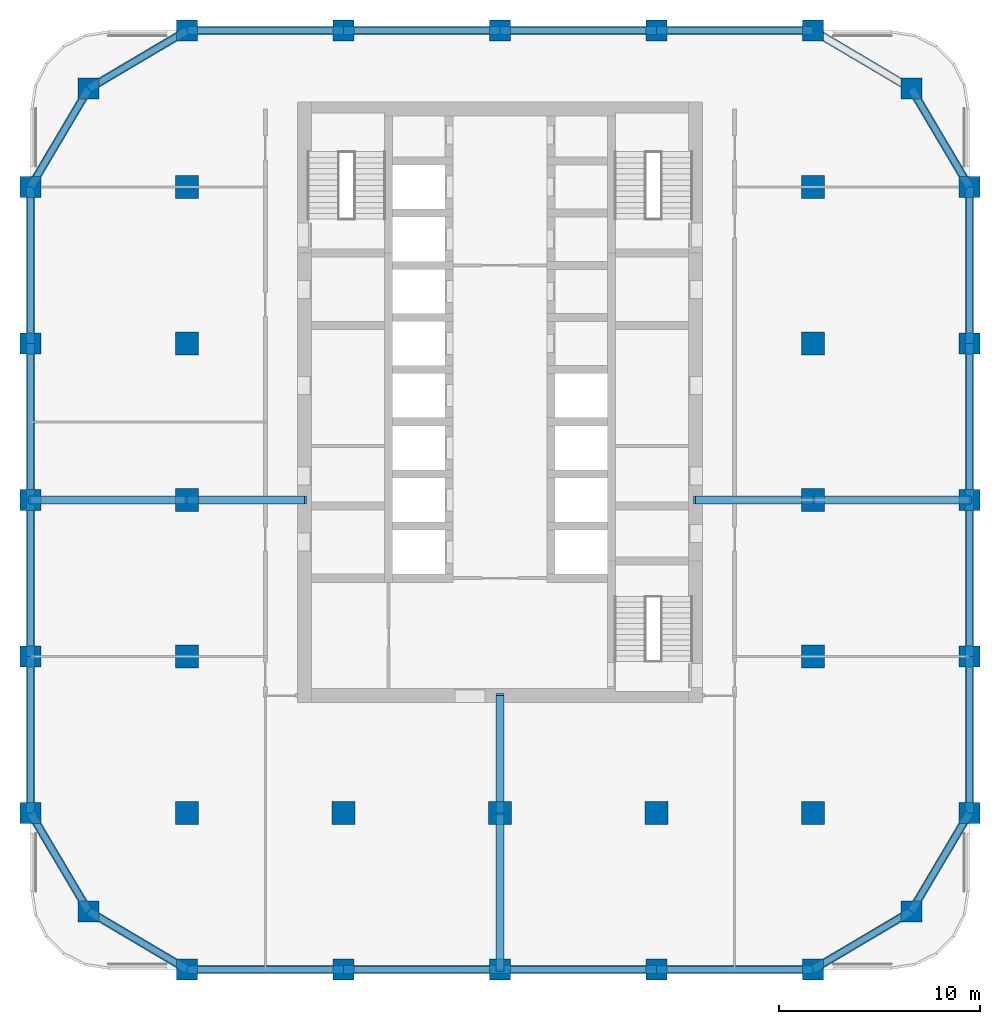
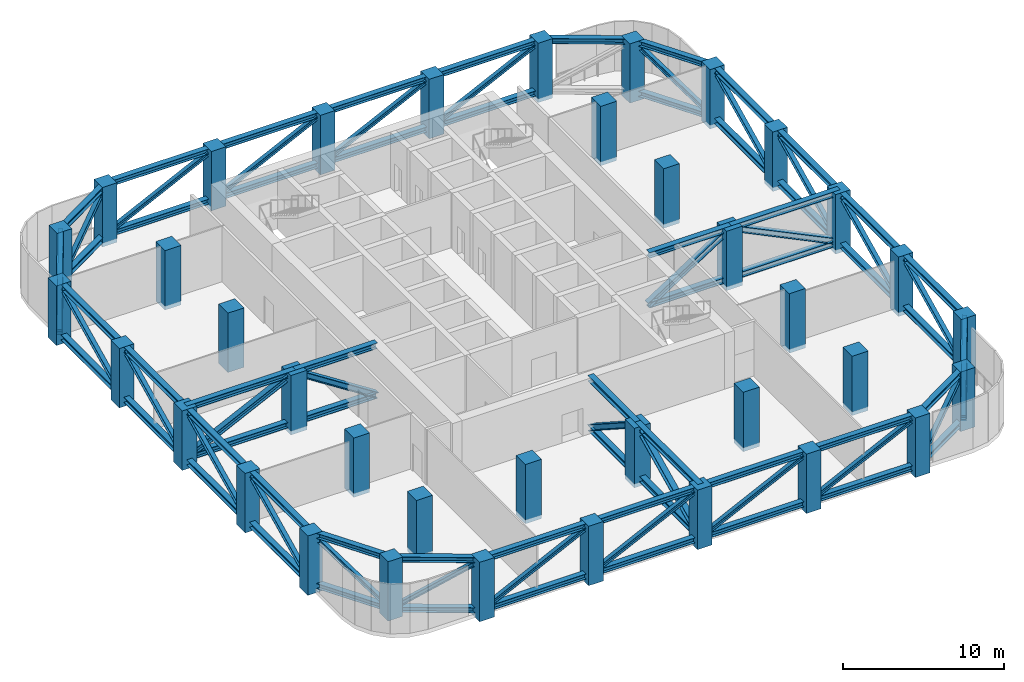
# One storey, part 1 of 8: 88 members, 37 columns.
"""IFC4 building model written with IfcOpenShell, lengths in metres."""

from ifc_helpers import new_model, si_unit, direction, frame, origin, origin_2d, place, context, subcontext, project, spatial, rectangle, i_section, extrude, material, material_profile, profile_set, type_object, element, save


model = new_model("IFC4")

# Units and contexts
model_context = context("Model", 3, precision=1e-05, world=origin(), true_north=direction((0.0, 1.0)))
body_context = subcontext(model_context, "Body", "Model", "MODEL_VIEW")
ifc_project = project(units=[si_unit("LENGTHUNIT", "METRE"), si_unit("AREAUNIT", "SQUARE_METRE"), si_unit("VOLUMEUNIT", "CUBIC_METRE"), si_unit("PLANEANGLEUNIT", "RADIAN"), si_unit("MASSUNIT", "GRAM", prefix="KILO")], contexts=[model_context])

# Site, building, storey
site_placement = place(None, origin())
site = spatial("IfcSite", under=ifc_project, at=site_placement, CompositionType="ELEMENT")
building_placement = place(site_placement, origin())
building = spatial("IfcBuilding", under=site, at=building_placement, Name="Ludao Terraces", CompositionType="ELEMENT")
storey_placement = place(building_placement, frame((0.0, 0.0, 46.699951171875)))
storey = spatial("IfcBuildingStorey", under=building, at=storey_placement, Name="L12", CompositionType="ELEMENT", Elevation=46.699951171875)

# Columns
ifc_material_1 = material(Name="Concrete C60", Category="concrete")
ifc_material_profile_1 = material_profile(ifc_material_1, rectangle(XDim=1.050048828125, YDim=1.050048828125, at=origin_2d()), Name="1050 X 1050")
ifc_profile_set_1 = profile_set([ifc_material_profile_1], Name="Concrete C60")
column_type_1 = type_object("IfcColumnType", Name="RC column 1050x1050 C60", PredefinedType="COLUMN", material=ifc_profile_set_1)
for number, where, z_axis, x_axis, name in (
    (1, (64.5, 44.5, -0.300048828125), (0.0, 0.0, 1.0), (1.0, 0.0, 0.0), "Column L12 C0029x0029"),
    (2, (105.5, 44.5, -0.300048828125), (0.0, 0.0, 1.0), (1.0, 0.0, 0.0), "Column L12 C0439x0029"),
    (3, (64.5, 85.5, -0.300048828125), (0.0, 0.0, 1.0), (1.0, 0.0, 0.0), "Column L12 C0029x0439"),
    (4, (105.5, 85.5, -0.300048828125), (0.0, 0.0, 1.0), (1.0, 0.0, 0.0), "Column L12 C0439x0439"),
    (5, (61.60009765625, 49.39990234375, -0.300048828125), (0.0, 0.0, 1.0), (1.0, 0.0, 0.0), "Column L12 F0000x0078"),
    (6, (108.39990234375, 49.39990234375, -0.300048828125), (0.0, 0.0, 1.0), (1.0, 0.0, 0.0), "Column L12 F0468x0078"),
    (7, (69.39990234375, 41.60009765625, -0.300048828125), (0.0, 0.0, 1.0), (1.0, 0.0, 0.0), "Column L12 F0078x0000"),
    (8, (69.39990234375, 88.39990234375, -0.300048828125), (0.0, 0.0, 1.0), (1.0, 0.0, 0.0), "Column L12 F0078x0468"),
    (9, (61.60009765625, 57.199951171875, -0.300048828125), (0.0, 0.0, 1.0), (1.0, 0.0, 0.0), "Column L12 F0000x0156"),
    (10, (108.39990234375, 57.199951171875, -0.300048828125), (0.0, 0.0, 1.0), (1.0, 0.0, 0.0), "Column L12 F0468x0156"),
    (11, (77.199951171875, 41.60009765625, -0.300048828125), (0.0, 0.0, 1.0), (1.0, 0.0, 0.0), "Column L12 F0156x0000"),
    (12, (77.199951171875, 88.39990234375, -0.300048828125), (0.0, 0.0, 1.0), (1.0, 0.0, 0.0), "Column L12 F0156x0468"),
    (13, (61.60009765625, 65.0, -0.300048828125), (0.0, 0.0, 1.0), (1.0, 0.0, 0.0), "Column L12 F0000x0234"),
    (14, (108.39990234375, 65.0, -0.300048828125), (0.0, 0.0, 1.0), (1.0, 0.0, 0.0), "Column L12 F0468x0234"),
    (15, (85.0, 41.60009765625, -0.300048828125), (0.0, 0.0, 1.0), (1.0, 0.0, 0.0), "Column L12 F0234x0000"),
    (16, (85.0, 88.39990234375, -0.300048828125), (0.0, 0.0, 1.0), (1.0, 0.0, 0.0), "Column L12 F0234x0468"),
    (17, (61.60009765625, 72.800048828125, -0.300048828125), (0.0, 0.0, 1.0), (1.0, 0.0, 0.0), "Column L12 F0000x0312"),
    (18, (108.39990234375, 72.800048828125, -0.300048828125), (0.0, 0.0, 1.0), (1.0, 0.0, 0.0), "Column L12 F0468x0312"),
    (19, (92.800048828125, 41.60009765625, -0.300048828125), (0.0, 0.0, 1.0), (1.0, 0.0, 0.0), "Column L12 F0312x0000"),
    (20, (92.800048828125, 88.39990234375, -0.300048828125), (0.0, 0.0, 1.0), (1.0, 0.0, 0.0), "Column L12 F0312x0468"),
    (21, (61.60009765625, 80.60009765625, -0.300048828125), (0.0, 0.0, 1.0), (1.0, 0.0, 0.0), "Column L12 F0000x0390"),
    (22, (108.39990234375, 80.60009765625, -0.300048828125), (0.0, 0.0, 1.0), (1.0, 0.0, 0.0), "Column L12 F0468x0390"),
    (23, (100.60009765625, 41.60009765625, -0.300048828125), (0.0, 0.0, 1.0), (1.0, 0.0, 0.0), "Column L12 F0390x0000"),
    (24, (100.60009765625, 88.39990234375, -0.300048828125), (0.0, 0.0, 1.0), (1.0, 0.0, 0.0), "Column L12 F0390x0468"),
):
    element("IfcColumn", number, at=place(storey_placement, frame(where, z_axis=z_axis, x_axis=x_axis)), inside=storey, type_object=column_type_1, Name=name, PredefinedType="COLUMN", context=body_context, shape_type="SweptSolid", body=[
        extrude(rectangle(XDim=1.050048828125, YDim=1.050048828125, at=origin_2d()), origin(), (0.0, 0.0, 1.0), 4.5),
    ])
ifc_material_profile_2 = material_profile(ifc_material_1, rectangle(XDim=1.14990234375, YDim=1.14990234375, at=origin_2d()), Name="1150 X 1150")
ifc_profile_set_2 = profile_set([ifc_material_profile_2], Name="Concrete C60")
column_type_2 = type_object("IfcColumnType", Name="RC column 1150x1150 C60", PredefinedType="COLUMN", material=ifc_profile_set_2)
for number, where, z_axis, x_axis, name in (
    (25, (69.39990234375, 49.39990234375, -0.300048828125), (0.0, 0.0, 1.0), (1.0, 0.0, 0.0), "Column L12 S0078x0078"),
    (26, (69.39990234375, 57.199951171875, -0.300048828125), (0.0, 0.0, 1.0), (1.0, 0.0, 0.0), "Column L12 S0078x0156"),
    (27, (69.39990234375, 65.0, -0.300048828125), (0.0, 0.0, 1.0), (1.0, 0.0, 0.0), "Column L12 S0078x0234"),
    (28, (69.39990234375, 72.800048828125, -0.300048828125), (0.0, 0.0, 1.0), (1.0, 0.0, 0.0), "Column L12 S0078x0312"),
    (29, (69.39990234375, 80.60009765625, -0.300048828125), (0.0, 0.0, 1.0), (1.0, 0.0, 0.0), "Column L12 S0078x0390"),
    (30, (77.199951171875, 49.39990234375, -0.300048828125), (0.0, 0.0, 1.0), (1.0, 0.0, 0.0), "Column L12 S0156x0078"),
    (31, (85.0, 49.39990234375, -0.300048828125), (0.0, 0.0, 1.0), (1.0, 0.0, 0.0), "Column L12 S0234x0078"),
    (32, (92.800048828125, 49.39990234375, -0.300048828125), (0.0, 0.0, 1.0), (1.0, 0.0, 0.0), "Column L12 S0312x0078"),
    (33, (100.60009765625, 49.39990234375, -0.300048828125), (0.0, 0.0, 1.0), (1.0, 0.0, 0.0), "Column L12 S0390x0078"),
    (34, (100.60009765625, 57.199951171875, -0.300048828125), (0.0, 0.0, 1.0), (1.0, 0.0, 0.0), "Column L12 S0390x0156"),
    (35, (100.60009765625, 65.0, -0.300048828125), (0.0, 0.0, 1.0), (1.0, 0.0, 0.0), "Column L12 S0390x0234"),
    (36, (100.60009765625, 72.800048828125, -0.300048828125), (0.0, 0.0, 1.0), (1.0, 0.0, 0.0), "Column L12 S0390x0312"),
    (37, (100.60009765625, 80.60009765625, -0.300048828125), (0.0, 0.0, 1.0), (1.0, 0.0, 0.0), "Column L12 S0390x0390"),
):
    element("IfcColumn", number, at=place(storey_placement, frame(where, z_axis=z_axis, x_axis=x_axis)), inside=storey, type_object=column_type_2, Name=name, PredefinedType="COLUMN", context=body_context, shape_type="SweptSolid", body=[
        extrude(rectangle(XDim=1.14990234375, YDim=1.14990234375, at=origin_2d()), origin(), (0.0, 0.0, 1.0), 4.5),
    ])

# Members
ifc_material_2 = material(Name="Steel Q355", Category="steel")
ifc_material_profile_3 = material_profile(ifc_material_2, i_section(OverallWidth=0.39990234375, OverallDepth=0.39990234375, WebThickness=0.012939453125, FlangeThickness=0.02099609375, at=origin_2d()), Name="HW 400X400X13X21")
ifc_profile_set_3 = profile_set([ifc_material_profile_3], Name="Steel Q355")
member_type_1 = type_object("IfcMemberType", Name="Belt truss chord HW 400x400x13x21 Q355", PredefinedType="CHORD", material=ifc_profile_set_3)
for number, where, z_axis, x_axis, name in (
    (38, (64.5, 44.5, 4.0), (0.860579751256, -0.509315709288, 0.0), (0.509315709288, 0.860579751256, 0.0), "Truss chord L12 BT1T1"),
    (39, (64.5, 44.5, 0.199951171875), (0.860579751256, -0.509315709288, 0.0), (0.509315709288, 0.860579751256, 0.0), "Truss chord L12 BT1B1"),
):
    element("IfcMember", number, at=place(storey_placement, frame(where, z_axis=z_axis, x_axis=x_axis)), inside=storey, type_object=member_type_1, Name=name, PredefinedType="CHORD", context=body_context, shape_type="SweptSolid", body=[
        extrude(i_section(OverallWidth=0.39990234375, OverallDepth=0.39990234375, WebThickness=0.012939453125, FlangeThickness=0.02099609375, at=origin_2d()), origin(), (0.0, 0.0, 1.0), 5.693603515625),
    ])
for number, where, z_axis, x_axis, name in (
    (40, (69.39990234375, 41.60009765625, 4.0), (1.0, 0.0, 0.0), (0.0, 1.0, 0.0), "Truss chord L12 BT2T1"),
    (41, (69.39990234375, 41.60009765625, 0.199951171875), (1.0, 0.0, 0.0), (0.0, 1.0, 0.0), "Truss chord L12 BT2B1"),
    (42, (77.199951171875, 41.60009765625, 4.0), (1.0, 0.0, 0.0), (0.0, 1.0, 0.0), "Truss chord L12 BT3T1"),
    (43, (77.199951171875, 41.60009765625, 0.199951171875), (1.0, 0.0, 0.0), (0.0, 1.0, 0.0), "Truss chord L12 BT3B1"),
    (44, (85.0, 41.60009765625, 4.0), (1.0, 0.0, 0.0), (0.0, 1.0, 0.0), "Truss chord L12 BT4T1"),
    (45, (85.0, 41.60009765625, 0.199951171875), (1.0, 0.0, 0.0), (0.0, 1.0, 0.0), "Truss chord L12 BT4B1"),
    (46, (92.800048828125, 41.60009765625, 4.0), (1.0, 0.0, 0.0), (0.0, 1.0, 0.0), "Truss chord L12 BT5T1"),
    (47, (92.800048828125, 41.60009765625, 0.199951171875), (1.0, 0.0, 0.0), (0.0, 1.0, 0.0), "Truss chord L12 BT5B1"),
):
    element("IfcMember", number, at=place(storey_placement, frame(where, z_axis=z_axis, x_axis=x_axis)), inside=storey, type_object=member_type_1, Name=name, PredefinedType="CHORD", context=body_context, shape_type="SweptSolid", body=[
        extrude(i_section(OverallWidth=0.39990234375, OverallDepth=0.39990234375, WebThickness=0.012939453125, FlangeThickness=0.02099609375, at=origin_2d()), origin(), (0.0, 0.0, 1.0), 7.800048828125),
    ])
for number, where, z_axis, x_axis, name in (
    (48, (100.60009765625, 41.60009765625, 4.0), (0.860579751256, 0.509315709288, 0.0), (-0.509315709288, 0.860579751256, 0.0), "Truss chord L12 BT6T1"),
    (49, (100.60009765625, 41.60009765625, 0.199951171875), (0.860579751256, 0.509315709288, 0.0), (-0.509315709288, 0.860579751256, 0.0), "Truss chord L12 BT6B1"),
    (50, (64.5, 85.5, 4.0), (0.860579751256, 0.509315709288, 0.0), (-0.509315709288, 0.860579751256, 0.0), "Truss chord L12 BT7T1"),
    (51, (64.5, 85.5, 0.199951171875), (0.860579751256, 0.509315709288, 0.0), (-0.509315709288, 0.860579751256, 0.0), "Truss chord L12 BT7B1"),
):
    element("IfcMember", number, at=place(storey_placement, frame(where, z_axis=z_axis, x_axis=x_axis)), inside=storey, type_object=member_type_1, Name=name, PredefinedType="CHORD", context=body_context, shape_type="SweptSolid", body=[
        extrude(i_section(OverallWidth=0.39990234375, OverallDepth=0.39990234375, WebThickness=0.012939453125, FlangeThickness=0.02099609375, at=origin_2d()), origin(), (0.0, 0.0, 1.0), 5.693603515625),
    ])
for number, where, z_axis, x_axis, name in (
    (52, (69.39990234375, 88.39990234375, 4.0), (1.0, 0.0, 0.0), (0.0, 1.0, 0.0), "Truss chord L12 BT8T1"),
    (53, (69.39990234375, 88.39990234375, 0.199951171875), (1.0, 0.0, 0.0), (0.0, 1.0, 0.0), "Truss chord L12 BT8B1"),
    (54, (77.199951171875, 88.39990234375, 4.0), (1.0, 0.0, 0.0), (0.0, 1.0, 0.0), "Truss chord L12 BT9T1"),
    (55, (77.199951171875, 88.39990234375, 0.199951171875), (1.0, 0.0, 0.0), (0.0, 1.0, 0.0), "Truss chord L12 BT9B1"),
    (56, (85.0, 88.39990234375, 4.0), (1.0, 0.0, 0.0), (0.0, 1.0, 0.0), "Truss chord L12 BT10T1"),
    (57, (85.0, 88.39990234375, 0.199951171875), (1.0, 0.0, 0.0), (0.0, 1.0, 0.0), "Truss chord L12 BT10B1"),
    (58, (92.800048828125, 88.39990234375, 4.0), (1.0, 0.0, 0.0), (0.0, 1.0, 0.0), "Truss chord L12 BT11T1"),
    (59, (92.800048828125, 88.39990234375, 0.199951171875), (1.0, 0.0, 0.0), (0.0, 1.0, 0.0), "Truss chord L12 BT11B1"),
):
    element("IfcMember", number, at=place(storey_placement, frame(where, z_axis=z_axis, x_axis=x_axis)), inside=storey, type_object=member_type_1, Name=name, PredefinedType="CHORD", context=body_context, shape_type="SweptSolid", body=[
        extrude(i_section(OverallWidth=0.39990234375, OverallDepth=0.39990234375, WebThickness=0.012939453125, FlangeThickness=0.02099609375, at=origin_2d()), origin(), (0.0, 0.0, 1.0), 7.800048828125),
    ])
for number, where, z_axis, x_axis, name in (
    (60, (100.60009765625, 88.39990234375, 4.0), (0.860579751256, -0.509315709288, 0.0), (0.509315709288, 0.860579751256, 0.0), "Truss chord L12 BT12T1"),
    (61, (64.5, 44.5, 4.0), (-0.509315709288, 0.860579751256, 0.0), (-0.860579751256, -0.509315709288, 0.0), "Truss chord L12 BT13T1"),
    (62, (64.5, 44.5, 0.199951171875), (-0.509315709288, 0.860579751256, 0.0), (-0.860579751256, -0.509315709288, 0.0), "Truss chord L12 BT13B1"),
):
    element("IfcMember", number, at=place(storey_placement, frame(where, z_axis=z_axis, x_axis=x_axis)), inside=storey, type_object=member_type_1, Name=name, PredefinedType="CHORD", context=body_context, shape_type="SweptSolid", body=[
        extrude(i_section(OverallWidth=0.39990234375, OverallDepth=0.39990234375, WebThickness=0.012939453125, FlangeThickness=0.02099609375, at=origin_2d()), origin(), (0.0, 0.0, 1.0), 5.693603515625),
    ])
for number, where, z_axis, x_axis, name in (
    (63, (61.60009765625, 49.39990234375, 4.0), (0.0, 1.0, 0.0), (-1.0, 0.0, 0.0), "Truss chord L12 BT14T1"),
    (64, (61.60009765625, 49.39990234375, 0.199951171875), (0.0, 1.0, 0.0), (-1.0, 0.0, 0.0), "Truss chord L12 BT14B1"),
    (65, (61.60009765625, 57.199951171875, 4.0), (0.0, 1.0, 0.0), (-1.0, 0.0, 0.0), "Truss chord L12 BT15T1"),
    (66, (61.60009765625, 57.199951171875, 0.199951171875), (0.0, 1.0, 0.0), (-1.0, 0.0, 0.0), "Truss chord L12 BT15B1"),
    (67, (61.60009765625, 65.0, 4.0), (0.0, 1.0, 0.0), (-1.0, 0.0, 0.0), "Truss chord L12 BT16T1"),
    (68, (61.60009765625, 65.0, 0.199951171875), (0.0, 1.0, 0.0), (-1.0, 0.0, 0.0), "Truss chord L12 BT16B1"),
    (69, (61.60009765625, 72.800048828125, 4.0), (0.0, 1.0, 0.0), (-1.0, 0.0, 0.0), "Truss chord L12 BT17T1"),
    (70, (61.60009765625, 72.800048828125, 0.199951171875), (0.0, 1.0, 0.0), (-1.0, 0.0, 0.0), "Truss chord L12 BT17B1"),
):
    element("IfcMember", number, at=place(storey_placement, frame(where, z_axis=z_axis, x_axis=x_axis)), inside=storey, type_object=member_type_1, Name=name, PredefinedType="CHORD", context=body_context, shape_type="SweptSolid", body=[
        extrude(i_section(OverallWidth=0.39990234375, OverallDepth=0.39990234375, WebThickness=0.012939453125, FlangeThickness=0.02099609375, at=origin_2d()), origin(), (0.0, 0.0, 1.0), 7.800048828125),
    ])
for number, where, z_axis, x_axis, name in (
    (71, (61.60009765625, 80.60009765625, 4.0), (0.509315709288, 0.860579751256, 0.0), (-0.860579751256, 0.509315709288, 0.0), "Truss chord L12 BT18T1"),
    (72, (61.60009765625, 80.60009765625, 0.199951171875), (0.509315709288, 0.860579751256, 0.0), (-0.860579751256, 0.509315709288, 0.0), "Truss chord L12 BT18B1"),
    (73, (105.5, 44.5, 4.0), (0.509315709288, 0.860579751256, 0.0), (-0.860579751256, 0.509315709288, 0.0), "Truss chord L12 BT19T1"),
    (74, (105.5, 44.5, 0.199951171875), (0.509315709288, 0.860579751256, 0.0), (-0.860579751256, 0.509315709288, 0.0), "Truss chord L12 BT19B1"),
):
    element("IfcMember", number, at=place(storey_placement, frame(where, z_axis=z_axis, x_axis=x_axis)), inside=storey, type_object=member_type_1, Name=name, PredefinedType="CHORD", context=body_context, shape_type="SweptSolid", body=[
        extrude(i_section(OverallWidth=0.39990234375, OverallDepth=0.39990234375, WebThickness=0.012939453125, FlangeThickness=0.02099609375, at=origin_2d()), origin(), (0.0, 0.0, 1.0), 5.693603515625),
    ])
for number, where, z_axis, x_axis, name in (
    (75, (108.39990234375, 49.39990234375, 4.0), (0.0, 1.0, 0.0), (-1.0, 0.0, 0.0), "Truss chord L12 BT20T1"),
    (76, (108.39990234375, 49.39990234375, 0.199951171875), (0.0, 1.0, 0.0), (-1.0, 0.0, 0.0), "Truss chord L12 BT20B1"),
    (77, (108.39990234375, 57.199951171875, 4.0), (0.0, 1.0, 0.0), (-1.0, 0.0, 0.0), "Truss chord L12 BT21T1"),
    (78, (108.39990234375, 57.199951171875, 0.199951171875), (0.0, 1.0, 0.0), (-1.0, 0.0, 0.0), "Truss chord L12 BT21B1"),
    (79, (108.39990234375, 65.0, 4.0), (0.0, 1.0, 0.0), (-1.0, 0.0, 0.0), "Truss chord L12 BT22T1"),
    (80, (108.39990234375, 65.0, 0.199951171875), (0.0, 1.0, 0.0), (-1.0, 0.0, 0.0), "Truss chord L12 BT22B1"),
    (81, (108.39990234375, 72.800048828125, 4.0), (0.0, 1.0, 0.0), (-1.0, 0.0, 0.0), "Truss chord L12 BT23T1"),
    (82, (108.39990234375, 72.800048828125, 0.199951171875), (0.0, 1.0, 0.0), (-1.0, 0.0, 0.0), "Truss chord L12 BT23B1"),
):
    element("IfcMember", number, at=place(storey_placement, frame(where, z_axis=z_axis, x_axis=x_axis)), inside=storey, type_object=member_type_1, Name=name, PredefinedType="CHORD", context=body_context, shape_type="SweptSolid", body=[
        extrude(i_section(OverallWidth=0.39990234375, OverallDepth=0.39990234375, WebThickness=0.012939453125, FlangeThickness=0.02099609375, at=origin_2d()), origin(), (0.0, 0.0, 1.0), 7.800048828125),
    ])
for number, where, z_axis, x_axis, name in (
    (83, (108.39990234375, 80.60009765625, 4.0), (-0.509315709288, 0.860579751256, 0.0), (-0.860579751256, -0.509315709288, 0.0), "Truss chord L12 BT24T1"),
    (84, (108.39990234375, 80.60009765625, 0.199951171875), (-0.509315709288, 0.860579751256, 0.0), (-0.860579751256, -0.509315709288, 0.0), "Truss chord L12 BT24B1"),
):
    element("IfcMember", number, at=place(storey_placement, frame(where, z_axis=z_axis, x_axis=x_axis)), inside=storey, type_object=member_type_1, Name=name, PredefinedType="CHORD", context=body_context, shape_type="SweptSolid", body=[
        extrude(i_section(OverallWidth=0.39990234375, OverallDepth=0.39990234375, WebThickness=0.012939453125, FlangeThickness=0.02099609375, at=origin_2d()), origin(), (0.0, 0.0, 1.0), 5.693603515625),
    ])
ifc_material_profile_4 = material_profile(ifc_material_2, i_section(OverallWidth=0.300048828125, OverallDepth=0.300048828125, WebThickness=0.010009765625, FlangeThickness=0.014892578125, at=origin_2d()), Name="HW 300X300X10X15")
ifc_profile_set_4 = profile_set([ifc_material_profile_4], Name="Steel Q355")
member_type_2 = type_object("IfcMemberType", Name="Belt truss diagonal HW 300x300x10x15 Q355", PredefinedType="BRACE", material=ifc_profile_set_4)
member_1_placement = place(storey_placement, frame((64.5, 44.5, 0.199951171875), z_axis=(0.715799881682, -0.423630841785, 0.555128308838), x_axis=(0.509315709288, 0.860579751256, 0.0)))
element("IfcMember", 85, at=member_1_placement, inside=storey, type_object=member_type_2, Name="Truss diagonal L12 BT11", PredefinedType="BRACE", context=body_context, shape_type="SweptSolid", body=[
    extrude(i_section(OverallWidth=0.300048828125, OverallDepth=0.300048828125, WebThickness=0.010009765625, FlangeThickness=0.014892578125, at=origin_2d()), origin(), (0.0, 0.0, 1.0), 6.845458984375),
])
for number, where, z_axis, x_axis, name in (
    (86, (69.39990234375, 41.60009765625, 0.199951171875), (0.89898873254, 0.0, 0.437971755672), (0.0, 1.0, 0.0), "Truss diagonal L12 BT21"),
    (87, (77.199951171875, 41.60009765625, 0.199951171875), (0.89898873254, 0.0, 0.437971755672), (0.0, 1.0, 0.0), "Truss diagonal L12 BT31"),
    (88, (85.0, 41.60009765625, 0.199951171875), (0.89898873254, 0.0, 0.437971755672), (0.0, 1.0, 0.0), "Truss diagonal L12 BT41"),
    (89, (92.800048828125, 41.60009765625, 0.199951171875), (0.89898873254, 0.0, 0.437971755672), (0.0, 1.0, 0.0), "Truss diagonal L12 BT51"),
):
    element("IfcMember", number, at=place(storey_placement, frame(where, z_axis=z_axis, x_axis=x_axis)), inside=storey, type_object=member_type_2, Name=name, PredefinedType="BRACE", context=body_context, shape_type="SweptSolid", body=[
        extrude(i_section(OverallWidth=0.300048828125, OverallDepth=0.300048828125, WebThickness=0.010009765625, FlangeThickness=0.014892578125, at=origin_2d()), origin(), (0.0, 0.0, 1.0), 8.676513671875),
    ])
for number, where, z_axis, x_axis, name in (
    (90, (100.60009765625, 41.60009765625, 0.199951171875), (0.715799881682, 0.423630841785, 0.555128308838), (-0.509315709288, 0.860579751256, 0.0), "Truss diagonal L12 BT61"),
    (91, (64.5, 85.5, 0.199951171875), (0.715799881682, 0.423630841785, 0.555128308838), (-0.509315709288, 0.860579751256, 0.0), "Truss diagonal L12 BT71"),
):
    element("IfcMember", number, at=place(storey_placement, frame(where, z_axis=z_axis, x_axis=x_axis)), inside=storey, type_object=member_type_2, Name=name, PredefinedType="BRACE", context=body_context, shape_type="SweptSolid", body=[
        extrude(i_section(OverallWidth=0.300048828125, OverallDepth=0.300048828125, WebThickness=0.010009765625, FlangeThickness=0.014892578125, at=origin_2d()), origin(), (0.0, 0.0, 1.0), 6.845458984375),
    ])
for number, where, z_axis, x_axis, name in (
    (92, (69.39990234375, 88.39990234375, 0.199951171875), (0.89898873254, 0.0, 0.437971755672), (0.0, 1.0, 0.0), "Truss diagonal L12 BT81"),
    (93, (77.199951171875, 88.39990234375, 0.199951171875), (0.89898873254, 0.0, 0.437971755672), (0.0, 1.0, 0.0), "Truss diagonal L12 BT91"),
    (94, (85.0, 88.39990234375, 0.199951171875), (0.89898873254, 0.0, 0.437971755672), (0.0, 1.0, 0.0), "Truss diagonal L12 BT101"),
    (95, (92.800048828125, 88.39990234375, 0.199951171875), (0.89898873254, 0.0, 0.437971755672), (0.0, 1.0, 0.0), "Truss diagonal L12 BT111"),
):
    element("IfcMember", number, at=place(storey_placement, frame(where, z_axis=z_axis, x_axis=x_axis)), inside=storey, type_object=member_type_2, Name=name, PredefinedType="BRACE", context=body_context, shape_type="SweptSolid", body=[
        extrude(i_section(OverallWidth=0.300048828125, OverallDepth=0.300048828125, WebThickness=0.010009765625, FlangeThickness=0.014892578125, at=origin_2d()), origin(), (0.0, 0.0, 1.0), 8.676513671875),
    ])
member_2_placement = place(storey_placement, frame((64.5, 44.5, 0.199951171875), z_axis=(-0.423630841785, 0.715799881682, 0.555128308838), x_axis=(-0.860579751256, -0.509315709288, 0.0)))
element("IfcMember", 96, at=member_2_placement, inside=storey, type_object=member_type_2, Name="Truss diagonal L12 BT131", PredefinedType="BRACE", context=body_context, shape_type="SweptSolid", body=[
    extrude(i_section(OverallWidth=0.300048828125, OverallDepth=0.300048828125, WebThickness=0.010009765625, FlangeThickness=0.014892578125, at=origin_2d()), origin(), (0.0, 0.0, 1.0), 6.845458984375),
])
for number, where, z_axis, x_axis, name in (
    (97, (61.60009765625, 49.39990234375, 0.199951171875), (0.0, 0.89898873254, 0.437971755672), (-1.0, 0.0, 0.0), "Truss diagonal L12 BT141"),
    (98, (61.60009765625, 57.199951171875, 0.199951171875), (0.0, 0.89898873254, 0.437971755672), (-1.0, 0.0, 0.0), "Truss diagonal L12 BT151"),
    (99, (61.60009765625, 65.0, 0.199951171875), (0.0, 0.89898873254, 0.437971755672), (-1.0, 0.0, 0.0), "Truss diagonal L12 BT161"),
    (100, (61.60009765625, 72.800048828125, 0.199951171875), (0.0, 0.89898873254, 0.437971755672), (-1.0, 0.0, 0.0), "Truss diagonal L12 BT171"),
):
    element("IfcMember", number, at=place(storey_placement, frame(where, z_axis=z_axis, x_axis=x_axis)), inside=storey, type_object=member_type_2, Name=name, PredefinedType="BRACE", context=body_context, shape_type="SweptSolid", body=[
        extrude(i_section(OverallWidth=0.300048828125, OverallDepth=0.300048828125, WebThickness=0.010009765625, FlangeThickness=0.014892578125, at=origin_2d()), origin(), (0.0, 0.0, 1.0), 8.676513671875),
    ])
for number, where, z_axis, x_axis, name in (
    (101, (61.60009765625, 80.60009765625, 0.199951171875), (0.423630841785, 0.715799881682, 0.555128308838), (-0.860579751256, 0.509315709288, 0.0), "Truss diagonal L12 BT181"),
    (102, (105.5, 44.5, 0.199951171875), (0.423630841785, 0.715799881682, 0.555128308838), (-0.860579751256, 0.509315709288, 0.0), "Truss diagonal L12 BT191"),
):
    element("IfcMember", number, at=place(storey_placement, frame(where, z_axis=z_axis, x_axis=x_axis)), inside=storey, type_object=member_type_2, Name=name, PredefinedType="BRACE", context=body_context, shape_type="SweptSolid", body=[
        extrude(i_section(OverallWidth=0.300048828125, OverallDepth=0.300048828125, WebThickness=0.010009765625, FlangeThickness=0.014892578125, at=origin_2d()), origin(), (0.0, 0.0, 1.0), 6.845458984375),
    ])
for number, where, z_axis, x_axis, name in (
    (103, (108.39990234375, 49.39990234375, 0.199951171875), (0.0, 0.89898873254, 0.437971755672), (-1.0, 0.0, 0.0), "Truss diagonal L12 BT201"),
    (104, (108.39990234375, 57.199951171875, 0.199951171875), (0.0, 0.89898873254, 0.437971755672), (-1.0, 0.0, 0.0), "Truss diagonal L12 BT211"),
    (105, (108.39990234375, 65.0, 0.199951171875), (0.0, 0.89898873254, 0.437971755672), (-1.0, 0.0, 0.0), "Truss diagonal L12 BT221"),
    (106, (108.39990234375, 72.800048828125, 0.199951171875), (0.0, 0.89898873254, 0.437971755672), (-1.0, 0.0, 0.0), "Truss diagonal L12 BT231"),
):
    element("IfcMember", number, at=place(storey_placement, frame(where, z_axis=z_axis, x_axis=x_axis)), inside=storey, type_object=member_type_2, Name=name, PredefinedType="BRACE", context=body_context, shape_type="SweptSolid", body=[
        extrude(i_section(OverallWidth=0.300048828125, OverallDepth=0.300048828125, WebThickness=0.010009765625, FlangeThickness=0.014892578125, at=origin_2d()), origin(), (0.0, 0.0, 1.0), 8.676513671875),
    ])
member_3_placement = place(storey_placement, frame((108.39990234375, 80.60009765625, 0.199951171875), z_axis=(-0.423630841785, 0.715799881682, 0.555128308838), x_axis=(-0.860579751256, -0.509315709288, 0.0)))
element("IfcMember", 107, at=member_3_placement, inside=storey, type_object=member_type_2, Name="Truss diagonal L12 BT241", PredefinedType="BRACE", context=body_context, shape_type="SweptSolid", body=[
    extrude(i_section(OverallWidth=0.300048828125, OverallDepth=0.300048828125, WebThickness=0.010009765625, FlangeThickness=0.014892578125, at=origin_2d()), origin(), (0.0, 0.0, 1.0), 6.845458984375),
])
ifc_material_profile_5 = material_profile(ifc_material_2, i_section(OverallWidth=0.406982421875, OverallDepth=0.427978515625, WebThickness=0.02001953125, FlangeThickness=0.034912109375, at=origin_2d()), Name="HW 428X407X20X35")
ifc_profile_set_5 = profile_set([ifc_material_profile_5], Name="Steel Q355")
member_type_3 = type_object("IfcMemberType", Name="Outrigger chord HW 428x407x20x35 Q355", PredefinedType="CHORD", material=ifc_profile_set_5)
for number, where, z_axis, x_axis, name in (
    (108, (75.25, 65.0, 3.986083984375), (-1.0, 0.0, 0.0), (0.0, -1.0, 0.0), "Truss chord L12 ORWT1"),
    (109, (75.25, 65.0, 0.214111328125), (-1.0, 0.0, 0.0), (0.0, -1.0, 0.0), "Truss chord L12 ORWB1"),
):
    element("IfcMember", number, at=place(storey_placement, frame(where, z_axis=z_axis, x_axis=x_axis)), inside=storey, type_object=member_type_3, Name=name, PredefinedType="CHORD", context=body_context, shape_type="SweptSolid", body=[
        extrude(i_section(OverallWidth=0.406982421875, OverallDepth=0.427978515625, WebThickness=0.02001953125, FlangeThickness=0.034912109375, at=origin_2d()), origin(), (0.0, 0.0, 1.0), 5.85009765625),
    ])
for number, where, z_axis, x_axis, name in (
    (110, (69.39990234375, 65.0, 3.986083984375), (-1.0, 0.0, 0.0), (0.0, -1.0, 0.0), "Truss chord L12 ORWT2"),
    (111, (69.39990234375, 65.0, 0.214111328125), (-1.0, 0.0, 0.0), (0.0, -1.0, 0.0), "Truss chord L12 ORWB2"),
):
    element("IfcMember", number, at=place(storey_placement, frame(where, z_axis=z_axis, x_axis=x_axis)), inside=storey, type_object=member_type_3, Name=name, PredefinedType="CHORD", context=body_context, shape_type="SweptSolid", body=[
        extrude(i_section(OverallWidth=0.406982421875, OverallDepth=0.427978515625, WebThickness=0.02001953125, FlangeThickness=0.034912109375, at=origin_2d()), origin(), (0.0, 0.0, 1.0), 7.7998046875),
    ])
for number, where, z_axis, x_axis, name in (
    (112, (94.75, 65.0, 3.986083984375), (1.0, 0.0, 0.0), (0.0, 1.0, 0.0), "Truss chord L12 ORET1"),
    (113, (94.75, 65.0, 0.214111328125), (1.0, 0.0, 0.0), (0.0, 1.0, 0.0), "Truss chord L12 OREB1"),
):
    element("IfcMember", number, at=place(storey_placement, frame(where, z_axis=z_axis, x_axis=x_axis)), inside=storey, type_object=member_type_3, Name=name, PredefinedType="CHORD", context=body_context, shape_type="SweptSolid", body=[
        extrude(i_section(OverallWidth=0.406982421875, OverallDepth=0.427978515625, WebThickness=0.02001953125, FlangeThickness=0.034912109375, at=origin_2d()), origin(), (0.0, 0.0, 1.0), 5.85009765625),
    ])
for number, where, z_axis, x_axis, name in (
    (114, (100.60009765625, 65.0, 3.986083984375), (1.0, 0.0, 0.0), (0.0, 1.0, 0.0), "Truss chord L12 ORET2"),
    (115, (100.60009765625, 65.0, 0.214111328125), (1.0, 0.0, 0.0), (0.0, 1.0, 0.0), "Truss chord L12 OREB2"),
):
    element("IfcMember", number, at=place(storey_placement, frame(where, z_axis=z_axis, x_axis=x_axis)), inside=storey, type_object=member_type_3, Name=name, PredefinedType="CHORD", context=body_context, shape_type="SweptSolid", body=[
        extrude(i_section(OverallWidth=0.406982421875, OverallDepth=0.427978515625, WebThickness=0.02001953125, FlangeThickness=0.034912109375, at=origin_2d()), origin(), (0.0, 0.0, 1.0), 7.7998046875),
    ])
for number, where, z_axis, x_axis, name in (
    (116, (85.0, 55.25, 3.986083984375), (0.0, -1.0, 0.0), (1.0, 0.0, 0.0), "Truss chord L12 ORST1"),
    (117, (85.0, 55.25, 0.214111328125), (0.0, -1.0, 0.0), (1.0, 0.0, 0.0), "Truss chord L12 ORSB1"),
):
    element("IfcMember", number, at=place(storey_placement, frame(where, z_axis=z_axis, x_axis=x_axis)), inside=storey, type_object=member_type_3, Name=name, PredefinedType="CHORD", context=body_context, shape_type="SweptSolid", body=[
        extrude(i_section(OverallWidth=0.406982421875, OverallDepth=0.427978515625, WebThickness=0.02001953125, FlangeThickness=0.034912109375, at=origin_2d()), origin(), (0.0, 0.0, 1.0), 5.85009765625),
    ])
for number, where, z_axis, x_axis, name in (
    (118, (85.0, 49.39990234375, 3.986083984375), (0.0, -1.0, 0.0), (1.0, 0.0, 0.0), "Truss chord L12 ORST2"),
    (119, (85.0, 49.39990234375, 0.214111328125), (0.0, -1.0, 0.0), (1.0, 0.0, 0.0), "Truss chord L12 ORSB2"),
):
    element("IfcMember", number, at=place(storey_placement, frame(where, z_axis=z_axis, x_axis=x_axis)), inside=storey, type_object=member_type_3, Name=name, PredefinedType="CHORD", context=body_context, shape_type="SweptSolid", body=[
        extrude(i_section(OverallWidth=0.406982421875, OverallDepth=0.427978515625, WebThickness=0.02001953125, FlangeThickness=0.034912109375, at=origin_2d()), origin(), (0.0, 0.0, 1.0), 7.7998046875),
    ])
ifc_material_profile_6 = material_profile(ifc_material_2, i_section(OverallWidth=0.405029296875, OverallDepth=0.4140625, WebThickness=0.01806640625, FlangeThickness=0.028076171875, at=origin_2d()), Name="HW 414X405X18X28")
ifc_profile_set_6 = profile_set([ifc_material_profile_6], Name="Steel Q355")
member_type_4 = type_object("IfcMemberType", Name="Outrigger diagonal HW 414x405x18x28 Q355", PredefinedType="BRACE", material=ifc_profile_set_6)
member_4_placement = place(storey_placement, frame((75.25, 65.0, 0.214111328125), z_axis=(-0.840446087191, 0.0, 0.541895169314), x_axis=(0.0, -1.0, 0.0)))
element("IfcMember", 120, at=member_4_placement, inside=storey, type_object=member_type_4, Name="Truss diagonal L12 ORW1", PredefinedType="BRACE", context=body_context, shape_type="SweptSolid", body=[
    extrude(i_section(OverallWidth=0.405029296875, OverallDepth=0.4140625, WebThickness=0.01806640625, FlangeThickness=0.028076171875, at=origin_2d()), origin(), (0.0, 0.0, 1.0), 6.960693359375),
])
member_5_placement = place(storey_placement, frame((69.39990234375, 65.0, 3.986083984375), z_axis=(-0.900255455445, 0.0, -0.435362050414), x_axis=(0.0, -1.0, 0.0)))
element("IfcMember", 121, at=member_5_placement, inside=storey, type_object=member_type_4, Name="Truss diagonal L12 ORW2", PredefinedType="BRACE", context=body_context, shape_type="SweptSolid", body=[
    extrude(i_section(OverallWidth=0.405029296875, OverallDepth=0.4140625, WebThickness=0.01806640625, FlangeThickness=0.028076171875, at=origin_2d()), origin(), (0.0, 0.0, 1.0), 8.6640625),
])
member_6_placement = place(storey_placement, frame((94.75, 65.0, 0.214111328125), z_axis=(0.840446087191, 0.0, 0.541895169314), x_axis=(0.0, 1.0, 0.0)))
element("IfcMember", 122, at=member_6_placement, inside=storey, type_object=member_type_4, Name="Truss diagonal L12 ORE1", PredefinedType="BRACE", context=body_context, shape_type="SweptSolid", body=[
    extrude(i_section(OverallWidth=0.405029296875, OverallDepth=0.4140625, WebThickness=0.01806640625, FlangeThickness=0.028076171875, at=origin_2d()), origin(), (0.0, 0.0, 1.0), 6.960693359375),
])
member_7_placement = place(storey_placement, frame((100.60009765625, 65.0, 3.986083984375), z_axis=(0.900255455445, 0.0, -0.435362050414), x_axis=(0.0, 1.0, 0.0)))
element("IfcMember", 123, at=member_7_placement, inside=storey, type_object=member_type_4, Name="Truss diagonal L12 ORE2", PredefinedType="BRACE", context=body_context, shape_type="SweptSolid", body=[
    extrude(i_section(OverallWidth=0.405029296875, OverallDepth=0.4140625, WebThickness=0.01806640625, FlangeThickness=0.028076171875, at=origin_2d()), origin(), (0.0, 0.0, 1.0), 8.6640625),
])
member_8_placement = place(storey_placement, frame((85.0, 55.25, 0.214111328125), z_axis=(0.0, -0.840446087191, 0.541895169314), x_axis=(1.0, 0.0, 0.0)))
element("IfcMember", 124, at=member_8_placement, inside=storey, type_object=member_type_4, Name="Truss diagonal L12 ORS1", PredefinedType="BRACE", context=body_context, shape_type="SweptSolid", body=[
    extrude(i_section(OverallWidth=0.405029296875, OverallDepth=0.4140625, WebThickness=0.01806640625, FlangeThickness=0.028076171875, at=origin_2d()), origin(), (0.0, 0.0, 1.0), 6.960693359375),
])
member_9_placement = place(storey_placement, frame((85.0, 49.39990234375, 3.986083984375), z_axis=(0.0, -0.900255455445, -0.435362050414), x_axis=(1.0, 0.0, 0.0)))
element("IfcMember", 125, at=member_9_placement, inside=storey, type_object=member_type_4, Name="Truss diagonal L12 ORS2", PredefinedType="BRACE", context=body_context, shape_type="SweptSolid", body=[
    extrude(i_section(OverallWidth=0.405029296875, OverallDepth=0.4140625, WebThickness=0.01806640625, FlangeThickness=0.028076171875, at=origin_2d()), origin(), (0.0, 0.0, 1.0), 8.6640625),
])

save(model, "model.ifc")
